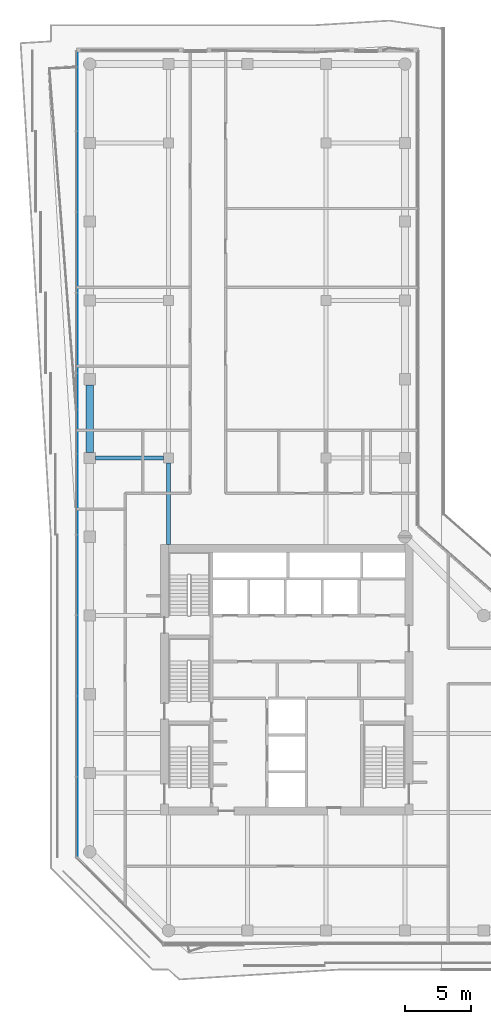
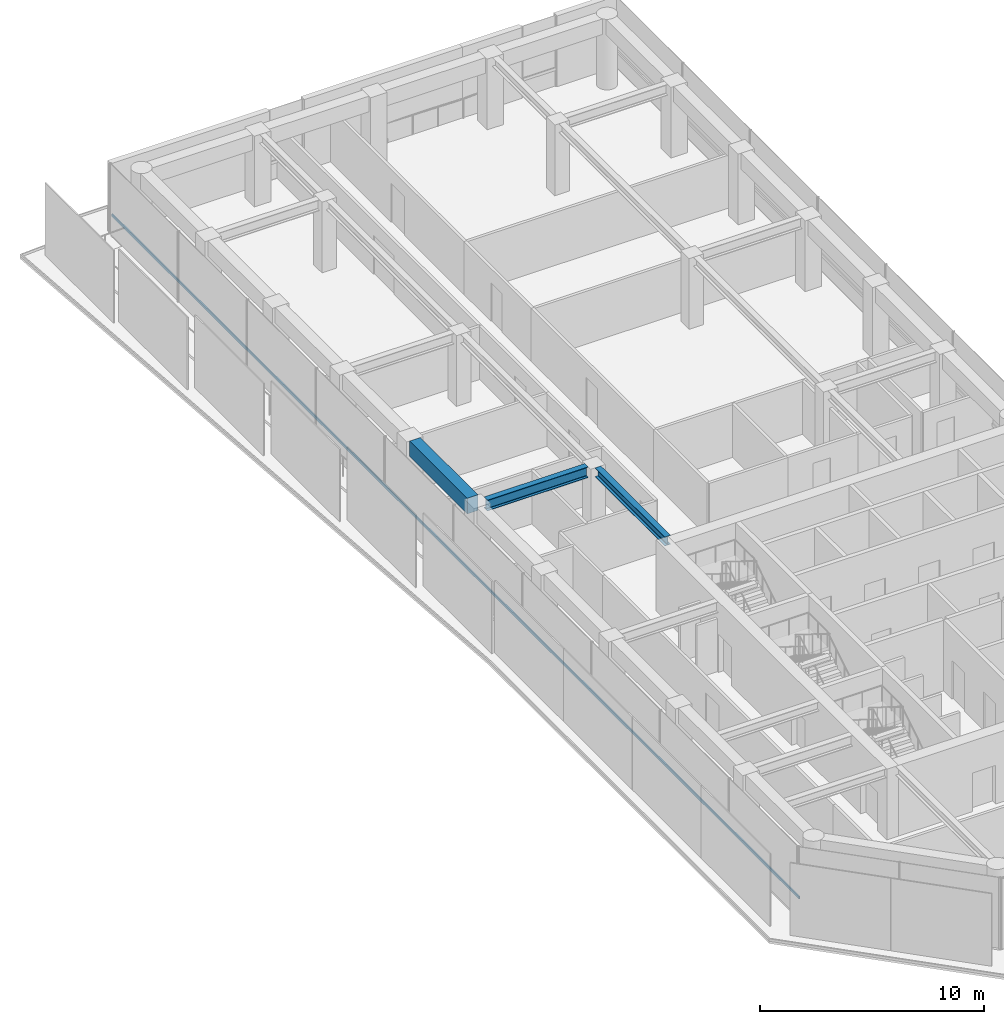
# One storey, part 10 of 21: 3 beams, 1 member, 1 element without a shape of its own.
"""IFC4 building model written with IfcOpenShell, lengths in metres."""

from ifc_helpers import new_model, si_unit, direction, frame, origin, origin_2d, place, context, subcontext, project, spatial, rectangle, i_section, extrude, material, layer, layer_set, material_profile, profile_set, type_object, element, aggregate, save


model = new_model("IFC4")

# Units and contexts
model_context = context("Model", 3, precision=1e-05, world=origin(), true_north=direction((0.0, 1.0)))
body_context = subcontext(model_context, "Body", "Model", "MODEL_VIEW")
ifc_project = project(units=[si_unit("LENGTHUNIT", "METRE"), si_unit("AREAUNIT", "SQUARE_METRE"), si_unit("VOLUMEUNIT", "CUBIC_METRE"), si_unit("PLANEANGLEUNIT", "RADIAN"), si_unit("MASSUNIT", "GRAM", prefix="KILO")], contexts=[model_context])

# Site, building, storey
site_placement = place(None, origin())
site = spatial("IfcSite", under=ifc_project, at=site_placement, CompositionType="ELEMENT")
building_placement = place(site_placement, origin())
building = spatial("IfcBuilding", under=site, at=building_placement, Name="Welwitschia Terrace Campus", CompositionType="ELEMENT")
storey_placement = place(building_placement, frame((0.0, 0.0, 184.39990234375)))
storey = spatial("IfcBuildingStorey", under=building, at=storey_placement, Name="L41", CompositionType="ELEMENT", Elevation=184.39990234375)

# Beams
ifc_material_1 = material(Name="Steel S355", Category="steel")
ifc_material_profile_1 = material_profile(ifc_material_1, i_section(OverallWidth=0.300048828125, OverallDepth=0.489990234375, WebThickness=0.011962890625, FlangeThickness=0.02294921875, FilletRadius=0.027099609375, at=origin_2d()))
ifc_profile_set_1 = profile_set([ifc_material_profile_1], Name="Steel S355")
beam_type_1 = type_object("IfcBeamType", Name="Interior girder HE 500 A", PredefinedType="BEAM", material=ifc_profile_set_1)
beam_1_placement = place(storey_placement, frame((6.0, 25.40087890625, 3.60498046875), z_axis=(0.0, 1.0, 0.0), x_axis=(-1.0, 0.0, 0.0)))
element("IfcBeam", 1, at=beam_1_placement, inside=storey, type_object=beam_type_1, Name="Girder GB4", PredefinedType="BEAM", context=body_context, shape_type="SweptSolid", body=[
    extrude(i_section(OverallWidth=0.300048828125, OverallDepth=0.489990234375, WebThickness=0.011962890625, FlangeThickness=0.02294921875, FilletRadius=0.027099609375, at=origin_2d()), origin(), (0.0, 0.0, 1.0), 6.2236328125),
])
ifc_material_2 = material(Name="Steel S355", Category="steel")
ifc_material_profile_2 = material_profile(ifc_material_2, i_section(OverallWidth=0.300048828125, OverallDepth=0.590087890625, WebThickness=0.012939453125, FlangeThickness=0.02490234375, FilletRadius=0.027099609375, at=origin_2d()))
ifc_profile_set_2 = profile_set([ifc_material_profile_2], Name="Steel S355")
beam_type_2 = type_object("IfcBeamType", Name="Primary beam HE 600 A", PredefinedType="BEAM", material=ifc_profile_set_2)
beam_2_placement = place(storey_placement, frame((0.425537109375, 32.0, 3.55517578125), z_axis=(1.0, 0.0, 0.0), x_axis=(0.0, 1.0, 0.0)))
element("IfcBeam", 2, at=beam_2_placement, inside=storey, type_object=beam_type_2, Name="Primary beam PB4", PredefinedType="BEAM", context=body_context, shape_type="SweptSolid", body=[
    extrude(i_section(OverallWidth=0.300048828125, OverallDepth=0.590087890625, WebThickness=0.012939453125, FlangeThickness=0.02490234375, FilletRadius=0.027099609375, at=origin_2d()), origin(), (0.0, 0.0, 1.0), 5.198974609375),
])
ifc_material_3 = material(Name="Concrete C50/60", Category="concrete")
ifc_material_profile_3 = material_profile(ifc_material_3, rectangle(XDim=0.550048828125, YDim=0.85009765625, at=origin_2d()))
ifc_profile_set_3 = profile_set([ifc_material_profile_3], Name="Concrete C50/60")
beam_type_3 = type_object("IfcBeamType", Name="Ring spandrel 550x850", PredefinedType="SPANDREL", material=ifc_profile_set_3)
beam_3_placement = place(storey_placement, frame((0.0, 37.574462890625, 3.425048828125), z_axis=(0.0, -1.0, 0.0), x_axis=(1.0, 0.0, 0.0)))
element("IfcBeam", 3, at=beam_3_placement, inside=storey, type_object=beam_type_3, Name="Spandrel SP3", PredefinedType="SPANDREL", context=body_context, shape_type="SweptSolid", body=[
    extrude(rectangle(XDim=0.550048828125, YDim=0.85009765625, at=origin_2d()), origin(), (0.0, 0.0, 1.0), 5.14892578125),
])

# Curtain wall, member
ifc_material_4 = material(Name="Bronze anodised aluminium", Category="aluminium")
ifc_layer = layer(ifc_material_4, 0.1201171875)
ifc_layer_set = layer_set([ifc_layer], Name="Bronze anodised aluminium")
curtain_wall_type = type_object("IfcCurtainWallType", Name="Curtain wall CW2 tower 6000", PredefinedType="NOTDEFINED", material=ifc_layer_set)
curtain_wall_placement = place(storey_placement, origin())
curtain_wall = element("IfcCurtainWall", 4, at=curtain_wall_placement, inside=storey, type_object=curtain_wall_type, Name="CW L41.10.0", PredefinedType="NOTDEFINED")
ifc_material_5 = material(Name="Bronze anodised aluminium", Category="aluminium")
ifc_material_profile_4 = material_profile(ifc_material_5, rectangle(XDim=0.06005859375, YDim=0.14990234375, at=origin_2d()))
ifc_profile_set_4 = profile_set([ifc_material_profile_4], Name="Bronze anodised aluminium")
member_type = type_object("IfcMemberType", Name="Transom 60x150", PredefinedType="USERDEFINED", material=ifc_profile_set_4)
member_placement = place(storey_placement, frame((-0.93994140625, 62.969970703125, 1.0), z_axis=(0.0, -1.0, 0.0), x_axis=(1.0, 0.0, 0.0)))
member = element("IfcMember", 5, at=member_placement, type_object=member_type, Name="Transom L41.10.0", ObjectType="TRANSOM", PredefinedType="USERDEFINED", context=body_context, shape_type="SweptSolid", body=[
    extrude(rectangle(XDim=0.06005859375, YDim=0.14990234375, at=origin_2d()), origin(), (0.0, 0.0, 1.0), 61.336669921875),
])
aggregate(curtain_wall, [member])

save(model, "model.ifc")
